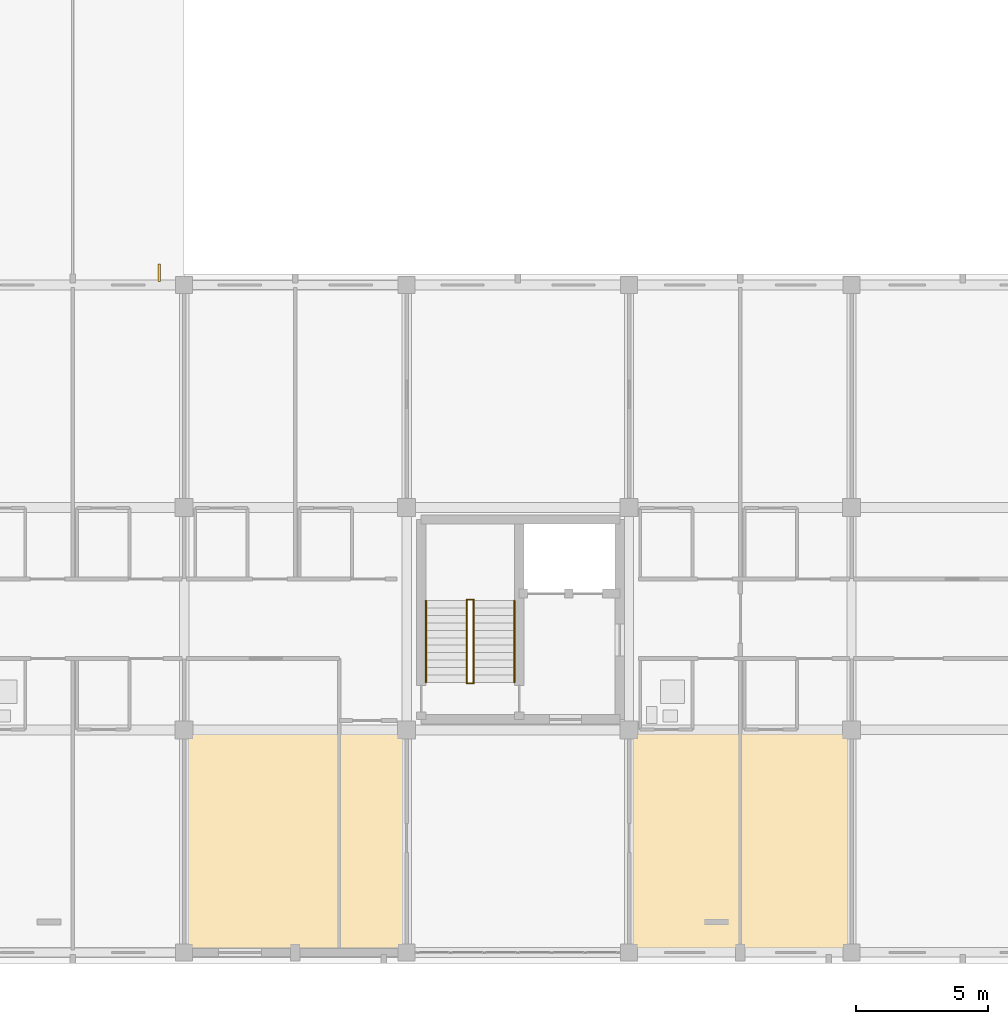
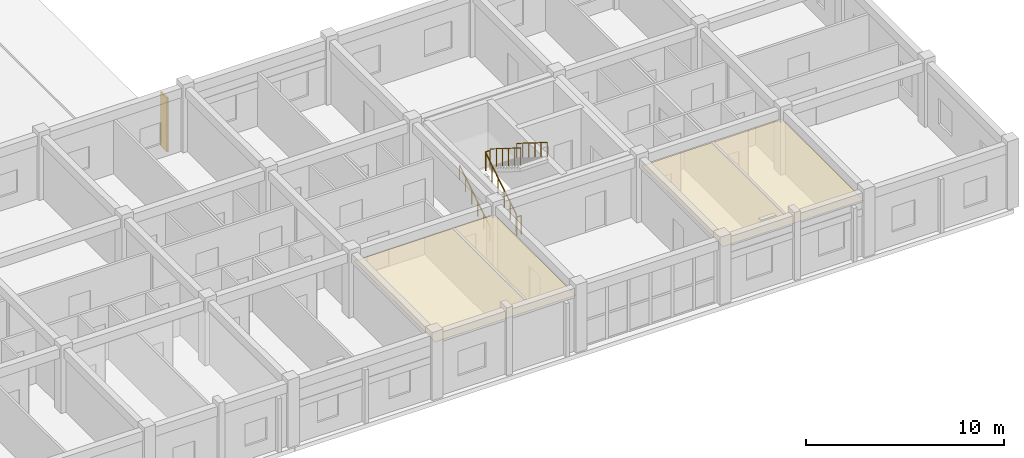
# One storey, part 83 of 90: 6 railings, 2 coverings, 1 shading device.
"""IFC4 building model written with IfcOpenShell, lengths in metres."""

from ifc_helpers import new_model, si_unit, direction, frame, origin, origin_2d, place, context, subcontext, project, spatial, polyline, rectangle, circle, outline, extrude, material, layer, layer_set, type_object, element, save


model = new_model("IFC4")

# Units and contexts
model_context = context("Model", 3, precision=1e-05, world=origin(), true_north=direction((0.0, 1.0)))
body_context = subcontext(model_context, "Body", "Model", "MODEL_VIEW")
ifc_project = project(units=[si_unit("LENGTHUNIT", "METRE"), si_unit("AREAUNIT", "SQUARE_METRE"), si_unit("VOLUMEUNIT", "CUBIC_METRE"), si_unit("PLANEANGLEUNIT", "RADIAN"), si_unit("MASSUNIT", "GRAM", prefix="KILO")], contexts=[model_context])

# Site, building, storey
site_placement = place(None, origin())
site = spatial("IfcSite", under=ifc_project, at=site_placement, CompositionType="ELEMENT")
building_placement = place(site_placement, origin())
building = spatial("IfcBuilding", under=site, at=building_placement, Name="Trelvath General Hospital", CompositionType="ELEMENT")
storey_placement = place(building_placement, frame((0.0, 0.0, 20.39990234375)))
storey = spatial("IfcBuildingStorey", under=building, at=storey_placement, Name="L05", CompositionType="ELEMENT", Elevation=20.39990234375)

# Coverings
ifc_material_1 = material(Name="Hygienic acoustic ceiling tile")
ifc_layer = layer(ifc_material_1, 0.02490234375)
ifc_layer_set = layer_set([ifc_layer], Name="Hygienic acoustic ceiling tile")
covering_type = type_object("IfcCoveringType", Name="Ceiling ClinicalAcoustic", PredefinedType="CEILING", material=ifc_layer_set)
covering_1_placement = place(storey_placement, frame((0.0, 0.0, 3.2001953125)))
element("IfcCovering", 1, at=covering_1_placement, inside=storey, type_object=covering_type, Name="Clinical Acoustic Ceiling L05-64", PredefinedType="CEILING", context=body_context, shape_type="SweptSolid", body=[
    extrude(outline(polyline([(84.10009765625, 0.10009765625), (92.300048828125, 0.10009765625), (92.300048828125, 8.320068359375), (84.10009765625, 8.320068359375), (84.10009765625, 0.10009765625)])), origin(), (0.0, 0.0, 1.0), 0.02490234375),
])
covering_2_placement = place(storey_placement, frame((0.0, 0.0, 3.2001953125)))
element("IfcCovering", 2, at=covering_2_placement, inside=storey, type_object=covering_type, Name="Clinical Acoustic Ceiling L05-65", PredefinedType="CEILING", context=body_context, shape_type="SweptSolid", body=[
    extrude(outline(polyline([(100.89990234375, 0.10009765625), (109.10009765625, 0.10009765625), (109.10009765625, 8.320068359375), (100.89990234375, 8.320068359375), (100.89990234375, 0.10009765625)])), origin(), (0.0, 0.0, 1.0), 0.02490234375),
])

# Railings
ifc_material_2 = material(Name="Architectural painted steel", Category="steel")
railing_type_1 = type_object("IfcRailingType", Name="Guardrail Terrace1150", PredefinedType="GUARDRAIL", material=ifc_material_2)
railing_1_placement = place(storey_placement, frame((94.669921875, 10.159912109375, 0.0)))
element("IfcRailing", 3, at=railing_1_placement, inside=storey, type_object=railing_type_1, Name="Stair Well Edge Guard C5 L05 186", PredefinedType="GUARDRAIL", context=body_context, shape_type="SweptSolid", body=[
    extrude(circle(Radius=0.02392578125, at=origin_2d()), frame((0.0, 0.0, 1.1259765625), z_axis=(1.0, 0.0, 0.0), x_axis=(0.0, 1.0, 0.0)), (0.0, 0.0, 1.0), 0.260009765625),
    extrude(circle(Radius=0.02099609375, at=origin_2d()), origin(), (0.0, 0.0, 1.0), 1.099853515625),
    extrude(circle(Radius=0.02099609375, at=origin_2d()), frame((0.260009765625, 0.0, 0.0)), (0.0, 0.0, 1.0), 1.099853515625),
])
railing_2_placement = place(storey_placement, frame((94.929931640625, 13.280029296875, 2.275146484375)))
element("IfcRailing", 4, at=railing_2_placement, inside=storey, type_object=railing_type_1, Name="Stair Rail ST5 L05 F2 L 188", PredefinedType="GUARDRAIL", context=body_context, shape_type="SweptSolid", body=[
    extrude(circle(Radius=0.02392578125, at=origin_2d()), frame((0.0, 0.0, 1.076171875), z_axis=(0.0, -0.847998304005, 0.529998940003), x_axis=(1.0, 0.0, 0.0)), (0.0, 0.0, 1.0), 3.632080078125),
    extrude(circle(Radius=0.02099609375, at=origin_2d()), origin(), (0.0, 0.0, 1.0), 1.050048828125),
    extrude(circle(Radius=0.02099609375, at=origin_2d()), frame((0.0, -0.615966796875, 0.385009765625)), (0.0, 0.0, 1.0), 1.050048828125),
    extrude(circle(Radius=0.02099609375, at=origin_2d()), frame((0.0, -1.23193359375, 0.77001953125)), (0.0, 0.0, 1.0), 1.050048828125),
    extrude(circle(Radius=0.02099609375, at=origin_2d()), frame((0.0, -1.84814453125, 1.155029296875)), (0.0, 0.0, 1.0), 1.050048828125),
    extrude(circle(Radius=0.02099609375, at=origin_2d()), frame((0.0, -2.464111328125, 1.5400390625)), (0.0, 0.0, 1.0), 1.050048828125),
    extrude(circle(Radius=0.02099609375, at=origin_2d()), frame((0.0, -3.080078125, 1.925048828125)), (0.0, 0.0, 1.0), 1.050048828125),
])
railing_3_placement = place(storey_placement, frame((94.669921875, 10.199951171875, 0.175048828125)))
element("IfcRailing", 5, at=railing_3_placement, inside=storey, type_object=railing_type_1, Name="Stair Rail ST5 L05 F1 R 189", PredefinedType="GUARDRAIL", context=body_context, shape_type="SweptSolid", body=[
    extrude(circle(Radius=0.02392578125, at=origin_2d()), frame((0.0, 0.0, 1.076171875), z_axis=(0.0, 0.847998304005, 0.529998940003), x_axis=(-1.0, 0.0, 0.0)), (0.0, 0.0, 1.0), 3.632080078125),
    extrude(circle(Radius=0.02099609375, at=origin_2d()), origin(), (0.0, 0.0, 1.0), 1.050048828125),
    extrude(circle(Radius=0.02099609375, at=origin_2d()), frame((0.0, 0.615966796875, 0.385009765625)), (0.0, 0.0, 1.0), 1.050048828125),
    extrude(circle(Radius=0.02099609375, at=origin_2d()), frame((0.0, 1.23193359375, 0.77001953125)), (0.0, 0.0, 1.0), 1.050048828125),
    extrude(circle(Radius=0.02099609375, at=origin_2d()), frame((0.0, 1.84814453125, 1.155029296875)), (0.0, 0.0, 1.0), 1.050048828125),
    extrude(circle(Radius=0.02099609375, at=origin_2d()), frame((0.0, 2.464111328125, 1.5400390625)), (0.0, 0.0, 1.0), 1.050048828125),
    extrude(circle(Radius=0.02099609375, at=origin_2d()), frame((0.0, 3.080078125, 1.925048828125)), (0.0, 0.0, 1.0), 1.050048828125),
])
railing_4_placement = place(storey_placement, frame((94.669921875, 13.320068359375, 2.10009765625)))
element("IfcRailing", 6, at=railing_4_placement, inside=storey, type_object=railing_type_1, Name="Half-Landing Well Guard ST5 L05 191", PredefinedType="GUARDRAIL", context=body_context, shape_type="SweptSolid", body=[
    extrude(circle(Radius=0.02392578125, at=origin_2d()), frame((0.0, 0.0, 1.1259765625), z_axis=(1.0, 0.0, 0.0), x_axis=(0.0, 1.0, 0.0)), (0.0, 0.0, 1.0), 0.260009765625),
    extrude(circle(Radius=0.02099609375, at=origin_2d()), origin(), (0.0, 0.0, 1.0), 1.099853515625),
    extrude(circle(Radius=0.02099609375, at=origin_2d()), frame((0.260009765625, 0.0, 0.0)), (0.0, 0.0, 1.0), 1.099853515625),
])
ifc_material_3 = material(Name="Brushed stainless steel", Category="steel")
railing_type_2 = type_object("IfcRailingType", Name="Handrail Stair900", PredefinedType="HANDRAIL", material=ifc_material_3)
railing_5_placement = place(storey_placement, frame((93.1298828125, 10.199951171875, 0.175048828125)))
element("IfcRailing", 7, at=railing_5_placement, inside=storey, type_object=railing_type_2, Name="Stair Rail ST5 L05 F1 L 187", PredefinedType="HANDRAIL", context=body_context, shape_type="SweptSolid", body=[
    extrude(circle(Radius=0.02392578125, at=origin_2d()), frame((0.0, 0.0, 0.8759765625), z_axis=(0.0, 0.847998304005, 0.529998940003), x_axis=(-1.0, 0.0, 0.0)), (0.0, 0.0, 1.0), 3.632080078125),
    extrude(circle(Radius=0.02099609375, at=origin_2d()), origin(), (0.0, 0.0, 1.0), 0.849853515625),
    extrude(circle(Radius=0.02099609375, at=origin_2d()), frame((0.0, 0.615966796875, 0.385009765625)), (0.0, 0.0, 1.0), 0.849853515625),
    extrude(circle(Radius=0.02099609375, at=origin_2d()), frame((0.0, 1.23193359375, 0.77001953125)), (0.0, 0.0, 1.0), 0.849853515625),
    extrude(circle(Radius=0.02099609375, at=origin_2d()), frame((0.0, 1.84814453125, 1.155029296875)), (0.0, 0.0, 1.0), 0.849853515625),
    extrude(circle(Radius=0.02099609375, at=origin_2d()), frame((0.0, 2.464111328125, 1.5400390625)), (0.0, 0.0, 1.0), 0.849853515625),
    extrude(circle(Radius=0.02099609375, at=origin_2d()), frame((0.0, 3.080078125, 1.925048828125)), (0.0, 0.0, 1.0), 0.849853515625),
])
railing_6_placement = place(storey_placement, frame((96.469970703125, 13.280029296875, 2.275146484375)))
element("IfcRailing", 8, at=railing_6_placement, inside=storey, type_object=railing_type_2, Name="Stair Rail ST5 L05 F2 R 190", PredefinedType="HANDRAIL", context=body_context, shape_type="SweptSolid", body=[
    extrude(circle(Radius=0.02392578125, at=origin_2d()), frame((0.0, 0.0, 0.8759765625), z_axis=(0.0, -0.847998304005, 0.529998940003), x_axis=(1.0, 0.0, 0.0)), (0.0, 0.0, 1.0), 3.632080078125),
    extrude(circle(Radius=0.02099609375, at=origin_2d()), origin(), (0.0, 0.0, 1.0), 0.849853515625),
    extrude(circle(Radius=0.02099609375, at=origin_2d()), frame((0.0, -0.615966796875, 0.385009765625)), (0.0, 0.0, 1.0), 0.849853515625),
    extrude(circle(Radius=0.02099609375, at=origin_2d()), frame((0.0, -1.23193359375, 0.77001953125)), (0.0, 0.0, 1.0), 0.849853515625),
    extrude(circle(Radius=0.02099609375, at=origin_2d()), frame((0.0, -1.84814453125, 1.155029296875)), (0.0, 0.0, 1.0), 0.849853515625),
    extrude(circle(Radius=0.02099609375, at=origin_2d()), frame((0.0, -2.464111328125, 1.5400390625)), (0.0, 0.0, 1.0), 0.849853515625),
    extrude(circle(Radius=0.02099609375, at=origin_2d()), frame((0.0, -3.080078125, 1.925048828125)), (0.0, 0.0, 1.0), 0.849853515625),
])

# Shading device
ifc_material_4 = material(Name="Anodised aluminium", Category="aluminium")
shading_device_type = type_object("IfcShadingDeviceType", Name="SolarScreen PerforatedAlu", PredefinedType="JALOUSIE", material=ifc_material_4)
shading_device_placement = place(storey_placement, frame((83.05908203125, 25.6650390625, 0.0), z_axis=(0.0, 0.0, 1.0), x_axis=(0.0, 1.0, 0.0)))
element("IfcShadingDevice", 9, at=shading_device_placement, inside=storey, type_object=shading_device_type, Name="Solar Brise-Soleil Screen L05-86", PredefinedType="JALOUSIE", context=body_context, shape_type="SweptSolid", body=[
    extrude(rectangle(XDim=0.64990234375, YDim=0.080078125, at=origin_2d()), origin(), (0.0, 0.0, 1.0), 3.340087890625),
])

save(model, "model.ifc")
